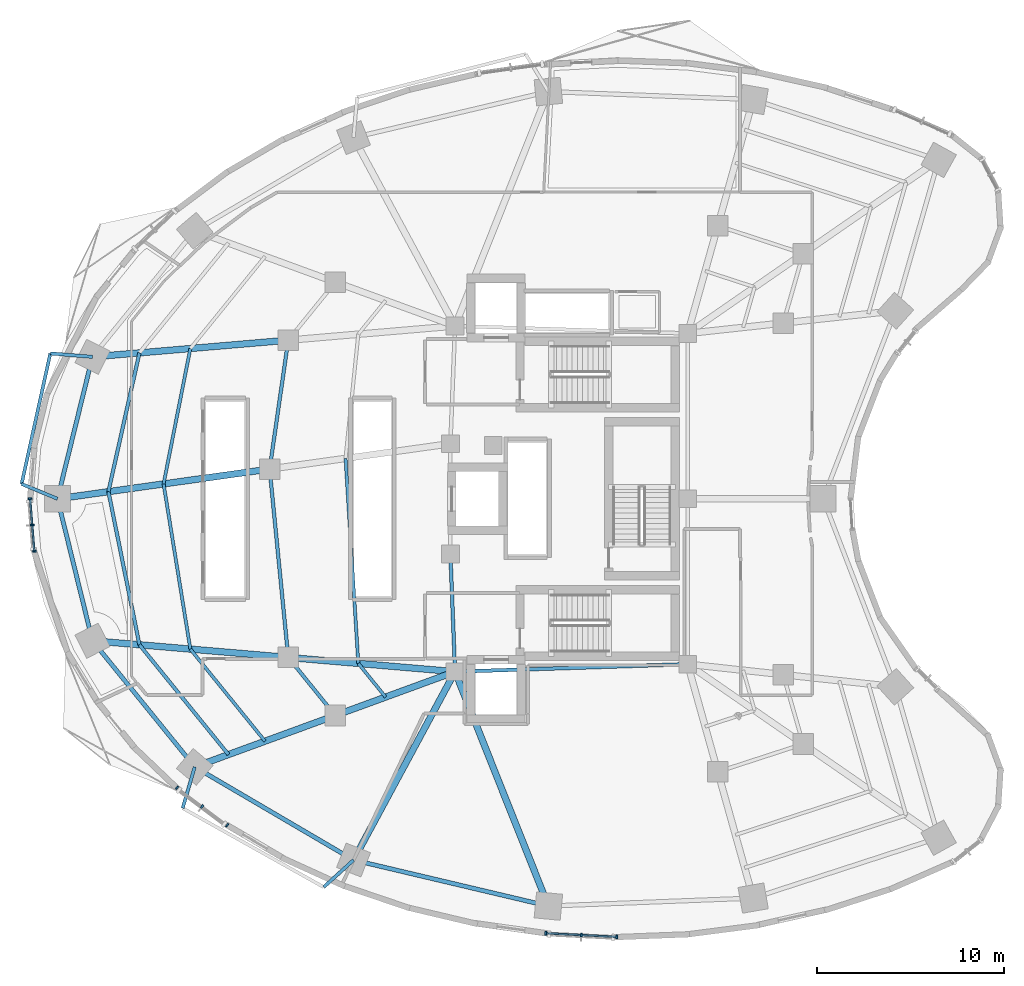
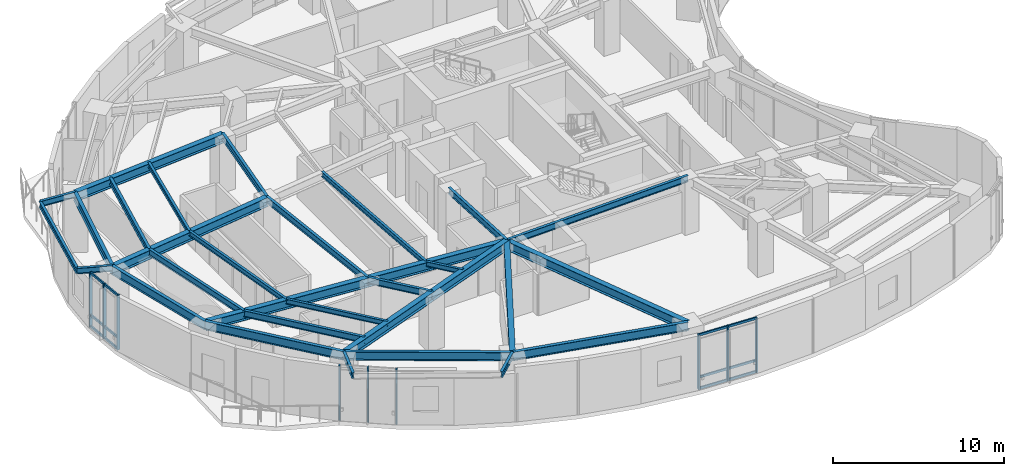
# One storey, part 2 of 14: 31 beams, 21 members, 3 elements without a shape of their own.
"""IFC4 building model written with IfcOpenShell, lengths in metres."""

import ifcopenshell
import ifcopenshell.guid

model = None  # the IFC model being written
_history = None  # IfcOwnerHistory: only IFC2X3 demands one
_inside = {}  # id of a spatial element -> (the spatial element, [elements in it])
_under = {}  # id of a project, library or spatial element -> (it, [spatial elements below it])
_declared = {}  # id of a project -> (the project, [libraries it declares])
_typed = {}  # id of a type object -> (the type object, [elements of that type])
_made_of = {}  # id of a material, layer set ... -> (it, [elements and type objects made of it])


def new_model(schema):
    """Start an empty IFC model of exactly this schema.

    Asked for "IFC4X3", IfcOpenShell would pick the latest addendum, in which some entities
    have other attributes; the version numbers below select the first issue.
    IFC2X3 requires an IfcOwnerHistory on every rooted entity: one is made here for all.
    """
    global model, _history
    if schema == "IFC4X3":
        model = ifcopenshell.file(schema_version=(4, 3, 0, 0))
    else:
        model = ifcopenshell.file(schema=schema)
    _inside.clear()
    _under.clear()
    _declared.clear()
    _typed.clear()
    _made_of.clear()
    _history = None
    if model.schema == "IFC2X3":
        org = make("IfcOrganization", Name="unknown")
        user = make(
            "IfcPersonAndOrganization",
            ThePerson=make("IfcPerson", FamilyName="unknown"),
            TheOrganization=org,
        )
        app = make(
            "IfcApplication",
            ApplicationDeveloper=org,
            Version="unknown",
            ApplicationFullName="unknown",
            ApplicationIdentifier="unknown",
        )
        _history = make(
            "IfcOwnerHistory",
            OwningUser=user,
            OwningApplication=app,
            ChangeAction="ADDED",
            CreationDate=0,
        )
    return model


def make(cls, **values):
    """One entity of the class cls with the attributes given. An attribute that is None is left unset."""
    return model.create_entity(
        cls, **{name: value for name, value in values.items() if value is not None}
    )


def rooted(cls, **values):
    """An entity with a GlobalId (a new one), such as an element, a storey or a relation."""
    return make(cls, GlobalId=ifcopenshell.guid.new(), OwnerHistory=_history, **values)


def si_unit(unit_type, name, prefix=None):
    """IfcSIUnit, for example si_unit("LENGTHUNIT", "METRE", prefix="MILLI")."""
    return make("IfcSIUnit", UnitType=unit_type, Prefix=prefix, Name=name)


def assignment(units):
    """IfcUnitAssignment: the units of a project."""
    return None if units is None else make("IfcUnitAssignment", Units=units)


def point(xyz):
    """IfcCartesianPoint."""
    return None if xyz is None else make("IfcCartesianPoint", Coordinates=xyz)


def direction(xyz):
    """IfcDirection."""
    return None if xyz is None else make("IfcDirection", DirectionRatios=xyz)


def frame(location, z_axis=None, x_axis=None):
    """IfcAxis2Placement3D, a coordinate frame: its origin and axes. An axis left out is left unset."""
    return make(
        "IfcAxis2Placement3D",
        Location=point(location),
        Axis=direction(z_axis),
        RefDirection=direction(x_axis),
    )


def frame_2d(location, x_axis=None):
    """IfcAxis2Placement2D, a coordinate frame in the plane: its origin and x axis."""
    return make(
        "IfcAxis2Placement2D", Location=point(location), RefDirection=direction(x_axis)
    )


def origin():
    """The frame at (0, 0, 0) with its axes left unset."""
    return frame((0.0, 0.0, 0.0))


def origin_2d():
    """The frame at (0, 0) in the plane with its x axis left unset."""
    return frame_2d((0.0, 0.0))


def place(relative_to, where):
    """IfcLocalPlacement: puts the frame where relative to a parent placement (None: the world)."""
    return make(
        "IfcLocalPlacement", PlacementRelTo=relative_to, RelativePlacement=where
    )


def context(
    kind, dimensions, precision=None, world=None, true_north=None, identifier=None
):
    """IfcGeometricRepresentationContext, for example the 3D "Model" context."""
    return make(
        "IfcGeometricRepresentationContext",
        ContextIdentifier=identifier,
        ContextType=kind,
        CoordinateSpaceDimension=dimensions,
        Precision=precision,
        WorldCoordinateSystem=world,
        TrueNorth=true_north,
    )


def subcontext(parent, identifier, kind, view, scale=None):
    """IfcGeometricRepresentationSubContext, for example "Body" below "Model"."""
    return make(
        "IfcGeometricRepresentationSubContext",
        ContextIdentifier=identifier,
        ContextType=kind,
        ParentContext=parent,
        TargetScale=scale,
        TargetView=view,
    )


def project(units=None, contexts=None):
    """IfcProject with its units and contexts."""
    return rooted(
        "IfcProject",
        Name="project",
        RepresentationContexts=contexts,
        UnitsInContext=assignment(units),
    )


def spatial(cls, under=None, at=None, **own):
    """A site, building, storey or space (cls), placed at a placement, below another one or the project."""
    s = rooted(cls, ObjectPlacement=at, **own)
    if under is not None:
        _under.setdefault(under.id(), (under, []))[1].append(s)
    return s


def profile(cls, at=None, kind="AREA", **sizes):
    """A parametric profile (cls). Its sizes go by their IFC names, for example OverallWidth=200.0."""
    return make(cls, ProfileType=kind, Position=at, **sizes)


def rectangle(**sizes):
    """IfcRectangleProfileDef."""
    return profile("IfcRectangleProfileDef", **sizes)


def i_section(**sizes):
    """IfcIShapeProfileDef."""
    return profile("IfcIShapeProfileDef", **sizes)


def extrude(swept, where, along, depth):
    """IfcExtrudedAreaSolid: the profile swept, set in the frame where, extruded along a direction by depth."""
    return make(
        "IfcExtrudedAreaSolid",
        SweptArea=swept,
        Position=where,
        ExtrudedDirection=direction(along),
        Depth=depth,
    )


def shape(context_of_items, identifier, shape_type, items):
    """IfcShapeRepresentation: the items that make up one representation, for example the "Body"."""
    return make(
        "IfcShapeRepresentation",
        ContextOfItems=context_of_items,
        RepresentationIdentifier=identifier,
        RepresentationType=shape_type,
        Items=items,
    )


def material(Name=None, Category=None):
    """IfcMaterial."""
    return make("IfcMaterial", Name=Name, Category=Category)


def layer(
    of_material, thickness, ventilated=None, Name=None, Category=None, Priority=None
):
    """IfcMaterialLayer: one layer of a wall or slab, of a material (None: an air gap)."""
    return make(
        "IfcMaterialLayer",
        Material=of_material,
        LayerThickness=thickness,
        IsVentilated=ventilated,
        Name=Name,
        Category=Category,
        Priority=Priority,
    )


def layer_set(layers, Name=None):
    """IfcMaterialLayerSet."""
    return make("IfcMaterialLayerSet", MaterialLayers=layers, LayerSetName=Name)


def material_profile(
    of_material, cross_section, Name=None, Category=None, Priority=None
):
    """IfcMaterialProfile: a cross section and its material."""
    return make(
        "IfcMaterialProfile",
        Name=Name,
        Material=of_material,
        Profile=cross_section,
        Priority=Priority,
        Category=Category,
    )


def profile_set(profiles, Name=None, composite=None):
    """IfcMaterialProfileSet."""
    return make(
        "IfcMaterialProfileSet",
        Name=Name,
        MaterialProfiles=profiles,
        CompositeProfile=composite,
    )


def made_of(thing, what):
    """Note that an element or type object is made of a material, layer set ...; save() writes the relation."""
    if what is not None:
        _made_of.setdefault(what.id(), (what, []))[1].append(thing)
    return thing


def type_object(cls, material=None, **own):
    """A type object (cls), such as IfcWallType, which elements share."""
    return made_of(rooted(cls, **own), material)


def element(
    cls,
    number,
    at=None,
    inside=None,
    cuts=None,
    type_object=None,
    material=None,
    context=None,
    identifier="Body",
    shape_type=None,
    held_by="IfcProductDefinitionShape",
    body=None,
    shapes=None,
    **own,
):
    """One element of the class cls, such as IfcWall. Its Tag is "e" and its number.

    at: its placement. inside: the storey or other place that contains it. cuts: it is an
    opening in that element (IfcRelVoidsElement). A single representation is given by context,
    identifier, shape_type and body (its items); several are given by shapes. held_by: the class
    of the entity that holds the representations. save() writes the other relations.
    """
    e = rooted(cls, Tag="e%d" % number, ObjectPlacement=at, **own)
    if body is not None:
        shapes = [shape(context, identifier, shape_type, body)]
    if shapes is not None:
        e.Representation = make(held_by, Representations=shapes)
    if inside is not None:
        _inside.setdefault(inside.id(), (inside, []))[1].append(e)
    if cuts is not None:
        rooted(
            "IfcRelVoidsElement", RelatingBuildingElement=cuts, RelatedOpeningElement=e
        )
    if type_object is not None:
        _typed.setdefault(type_object.id(), (type_object, []))[1].append(e)
    return made_of(e, material)


def aggregate(whole, parts):
    """IfcRelAggregates: a whole, such as a stair, and the parts it consists of."""
    return rooted("IfcRelAggregates", RelatingObject=whole, RelatedObjects=parts)


def save(model, path):
    """Write the relations noted so far, then the file.

    IfcRelAggregates (storeys below a building ...), IfcRelContainedInSpatialStructure (elements
    in a storey), IfcRelDefinesByType, IfcRelAssociatesMaterial and IfcRelDeclares: one each for
    every whole, place, type object, material and project.
    """
    for whole, parts in _under.values():
        aggregate(whole, parts)
    for where, things in _inside.values():
        rooted(
            "IfcRelContainedInSpatialStructure",
            RelatedElements=things,
            RelatingStructure=where,
        )
    for kind, things in _typed.values():
        rooted("IfcRelDefinesByType", RelatedObjects=things, RelatingType=kind)
    for what, things in _made_of.values():
        rooted("IfcRelAssociatesMaterial", RelatedObjects=things, RelatingMaterial=what)
    for by, libraries in _declared.values():
        rooted("IfcRelDeclares", RelatingContext=by, RelatedDefinitions=libraries)
    model.write(path)


model = new_model("IFC4")

# Units and contexts
model_context = context("Model", 3, precision=1e-05, world=origin(), true_north=direction((0.0, 1.0)))
body_context = subcontext(model_context, "Body", "Model", "MODEL_VIEW")
ifc_project = project(units=[si_unit("LENGTHUNIT", "METRE"), si_unit("AREAUNIT", "SQUARE_METRE"), si_unit("VOLUMEUNIT", "CUBIC_METRE"), si_unit("PLANEANGLEUNIT", "RADIAN"), si_unit("MASSUNIT", "GRAM", prefix="KILO")], contexts=[model_context])

# Site, building, storey
site_placement = place(None, origin())
site = spatial("IfcSite", under=ifc_project, at=site_placement, CompositionType="ELEMENT")
building_placement = place(site_placement, origin())
building = spatial("IfcBuilding", under=site, at=building_placement, Name="Korentha Bioscience Tower", CompositionType="ELEMENT")
storey_placement = place(building_placement, frame((0.0, 0.0, 63.60009765625)))
storey = spatial("IfcBuildingStorey", under=building, at=storey_placement, Name="L14", CompositionType="ELEMENT", Elevation=63.60009765625)

# Beams
ifc_material_1 = material(Name="Steel S355", Category="steel")
ifc_material_profile_1 = material_profile(ifc_material_1, i_section(OverallWidth=0.18994140625, OverallDepth=0.45703125, WebThickness=0.009033203125, FlangeThickness=0.014404296875, at=origin_2d()), Name="Steel S355")
ifc_profile_set_1 = profile_set([ifc_material_profile_1], Name="Steel S355 (MB-460)")
beam_type_1 = type_object("IfcBeamType", Name="Mid-Ring Tie Girder W460x74", PredefinedType="BEAM", material=ifc_profile_set_1)
beam_1_placement = place(storey_placement, frame((16.174072265625, 35.489013671875, 3.67138671875), z_axis=(-0.14286846228, -0.989741684727, 0.0), x_axis=(0.989741684727, -0.14286846228, 0.0)))
element("IfcBeam", 1, at=beam_1_placement, inside=storey, type_object=beam_type_1, Name="L14 Mid-Ring Tie Girder 06", PredefinedType="BEAM", context=body_context, shape_type="SweptSolid", body=[
    extrude(i_section(OverallWidth=0.18994140625, OverallDepth=0.45703125, WebThickness=0.009033203125, FlangeThickness=0.014404296875, at=origin_2d()), origin(), (0.0, 0.0, 1.0), 6.967041015625),
])
beam_2_placement = place(storey_placement, frame((15.1787109375, 28.593505859375, 3.67138671875), z_axis=(0.098243909277, -0.995162365793, 0.0), x_axis=(0.995162365793, 0.098243909277, 0.0)))
element("IfcBeam", 2, at=beam_2_placement, inside=storey, type_object=beam_type_1, Name="L14 Mid-Ring Tie Girder 07", PredefinedType="BEAM", context=body_context, shape_type="SweptSolid", body=[
    extrude(i_section(OverallWidth=0.18994140625, OverallDepth=0.45703125, WebThickness=0.009033203125, FlangeThickness=0.014404296875, at=origin_2d()), origin(), (0.0, 0.0, 1.0), 10.131591796875),
])
beam_3_placement = place(storey_placement, frame((16.174072265625, 18.510986328125, 3.67138671875), z_axis=(0.629790009744, -0.776765436684, 0.0), x_axis=(0.776765436684, 0.629790009744, 0.0)))
element("IfcBeam", 3, at=beam_3_placement, inside=storey, type_object=beam_type_1, Name="L14 Mid-Ring Tie Girder 08", PredefinedType="BEAM", context=body_context, shape_type="SweptSolid", body=[
    extrude(i_section(OverallWidth=0.18994140625, OverallDepth=0.45703125, WebThickness=0.009033203125, FlangeThickness=0.014404296875, at=origin_2d()), origin(), (0.0, 0.0, 1.0), 3.998291015625),
])
beam_4_placement = place(storey_placement, frame((24.85009765625, 24.050048828125, 3.67138671875), z_axis=(0.039651025576, -0.999213588864, 0.0), x_axis=(0.999213588864, 0.039651025576, 0.0)))
element("IfcBeam", 4, at=beam_4_placement, inside=storey, type_object=beam_type_1, Name="L14 Core Ring Tie Girder 04", PredefinedType="BEAM", context=body_context, shape_type="SweptSolid", body=[
    extrude(i_section(OverallWidth=0.18994140625, OverallDepth=0.45703125, WebThickness=0.009033203125, FlangeThickness=0.014404296875, at=origin_2d()), origin(), (0.0, 0.0, 1.0), 6.304931640625),
])
beam_5_placement = place(storey_placement, frame((25.10009765625, 17.75, 3.67138671875), z_axis=(0.999484526071, 0.032104238723, 0.0), x_axis=(-0.032104238723, 0.999484526071, 0.0)))
element("IfcBeam", 5, at=beam_5_placement, inside=storey, type_object=beam_type_1, Name="L14 Core Ring Tie Girder 05", PredefinedType="BEAM", context=body_context, shape_type="SweptSolid", body=[
    extrude(i_section(OverallWidth=0.18994140625, OverallDepth=0.45703125, WebThickness=0.009033203125, FlangeThickness=0.014404296875, at=origin_2d()), origin(), (0.0, 0.0, 1.0), 12.456298828125),
])

# Curtain wall, members
ifc_material_2 = material(Name="Thermally Broken Aluminium Frame", Category="aluminium")
ifc_layer = layer(ifc_material_2, 0.219970703125, Name="Thermally Broken Aluminium Frame")
ifc_layer_set = layer_set([ifc_layer], Name="Thermally Broken Aluminium Frame (CW-T2)")
curtain_wall_type = type_object("IfcCurtainWallType", Name="Solar-Screened Lab Unitised Curtain Wall CW-T2", PredefinedType="USERDEFINED", material=ifc_layer_set)
curtain_wall_1_placement = place(storey_placement, origin())
curtain_wall_1 = element("IfcCurtainWall", 6, at=curtain_wall_1_placement, inside=storey, type_object=curtain_wall_type, Name="L14 Curtain Wall 19", ObjectType="UNITISED", PredefinedType="USERDEFINED")
ifc_material_3 = material(Name="Anodised Aluminium 6063-T6", Category="aluminium")
ifc_material_profile_2 = material_profile(ifc_material_3, rectangle(XDim=0.090087890625, YDim=0.199951171875, at=origin_2d()), Name="Anodised Aluminium 6063-T6")
ifc_profile_set_2 = profile_set([ifc_material_profile_2], Name="Anodised Aluminium 6063-T6 (CW-MUL)")
member_type_1 = type_object("IfcMemberType", Name="Mullion RECT 90x200", PredefinedType="MULLION", material=ifc_profile_set_2)
member_1_placement = place(storey_placement, frame((2.35986328125, 27.0078125, 0.0), z_axis=(0.0, 0.0, 1.0), x_axis=(0.080820466375, -0.996728675325, 0.0)))
member_1 = element("IfcMember", 7, at=member_1_placement, type_object=member_type_1, Name="CW-L14-19 Mullion 1", PredefinedType="MULLION", context=body_context, shape_type="SweptSolid", body=[
    extrude(rectangle(XDim=0.090087890625, YDim=0.199951171875, at=origin_2d()), origin(), (0.0, 0.0, 1.0), 3.89990234375),
])
member_2_placement = place(storey_placement, frame((2.474365234375, 25.597412109375, 0.0), z_axis=(0.0, 0.0, 1.0), x_axis=(0.080820466375, -0.996728675325, 0.0)))
member_2 = element("IfcMember", 8, at=member_2_placement, type_object=member_type_1, Name="CW-L14-19 Mullion 2", PredefinedType="MULLION", context=body_context, shape_type="SweptSolid", body=[
    extrude(rectangle(XDim=0.090087890625, YDim=0.199951171875, at=origin_2d()), origin(), (0.0, 0.0, 1.0), 3.89990234375),
])
member_3_placement = place(storey_placement, frame((2.588623046875, 24.187255859375, 0.0), z_axis=(0.0, 0.0, 1.0), x_axis=(0.080820466375, -0.996728675325, 0.0)))
member_3 = element("IfcMember", 9, at=member_3_placement, type_object=member_type_1, Name="CW-L14-19 Mullion 3", PredefinedType="MULLION", context=body_context, shape_type="SweptSolid", body=[
    extrude(rectangle(XDim=0.090087890625, YDim=0.199951171875, at=origin_2d()), origin(), (0.0, 0.0, 1.0), 3.89990234375),
])

curtain_wall_2_placement = place(storey_placement, origin())
curtain_wall_2 = element("IfcCurtainWall", 10, at=curtain_wall_2_placement, inside=storey, type_object=curtain_wall_type, Name="L14 Curtain Wall 25", ObjectType="UNITISED", PredefinedType="USERDEFINED")
member_4_placement = place(storey_placement, frame((10.2216796875, 11.538818359375, 0.0), z_axis=(0.0, 0.0, 1.0), x_axis=(0.800797909614, -0.598934644145, 0.0)))
member_4 = element("IfcMember", 11, at=member_4_placement, type_object=member_type_1, Name="CW-L14-25 Mullion 1", PredefinedType="MULLION", context=body_context, shape_type="SweptSolid", body=[
    extrude(rectangle(XDim=0.090087890625, YDim=0.199951171875, at=origin_2d()), origin(), (0.0, 0.0, 1.0), 3.89990234375),
])
member_5_placement = place(storey_placement, frame((11.5634765625, 10.53515625, 0.0), z_axis=(0.0, 0.0, 1.0), x_axis=(0.800797909614, -0.598934644145, 0.0)))
member_5 = element("IfcMember", 12, at=member_5_placement, type_object=member_type_1, Name="CW-L14-25 Mullion 2", PredefinedType="MULLION", context=body_context, shape_type="SweptSolid", body=[
    extrude(rectangle(XDim=0.090087890625, YDim=0.199951171875, at=origin_2d()), origin(), (0.0, 0.0, 1.0), 3.89990234375),
])
member_6_placement = place(storey_placement, frame((12.9052734375, 9.53173828125, 0.0), z_axis=(0.0, 0.0, 1.0), x_axis=(0.800797909614, -0.598934644145, 0.0)))
member_6 = element("IfcMember", 13, at=member_6_placement, type_object=member_type_1, Name="CW-L14-25 Mullion 3", PredefinedType="MULLION", context=body_context, shape_type="SweptSolid", body=[
    extrude(rectangle(XDim=0.090087890625, YDim=0.199951171875, at=origin_2d()), origin(), (0.0, 0.0, 1.0), 3.89990234375),
])
aggregate(curtain_wall_2, [member_4, member_5, member_6])

curtain_wall_3_placement = place(storey_placement, origin())
curtain_wall_3 = element("IfcCurtainWall", 14, at=curtain_wall_3_placement, inside=storey, type_object=curtain_wall_type, Name="L14 Curtain Wall 31", ObjectType="UNITISED", PredefinedType="USERDEFINED")
member_7_placement = place(storey_placement, frame((29.9541015625, 3.75244140625, 0.0), z_axis=(0.0, 0.0, 1.0), x_axis=(0.998730551641, -0.050371472279, 0.0)))
member_7 = element("IfcMember", 15, at=member_7_placement, type_object=member_type_1, Name="CW-L14-31 Mullion 1", PredefinedType="MULLION", context=body_context, shape_type="SweptSolid", body=[
    extrude(rectangle(XDim=0.090087890625, YDim=0.199951171875, at=origin_2d()), origin(), (0.0, 0.0, 1.0), 3.89990234375),
])
member_8_placement = place(storey_placement, frame((31.855224609375, 3.656494140625, 0.0), z_axis=(0.0, 0.0, 1.0), x_axis=(0.998730551641, -0.050371472279, 0.0)))
member_8 = element("IfcMember", 16, at=member_8_placement, type_object=member_type_1, Name="CW-L14-31 Mullion 2", PredefinedType="MULLION", context=body_context, shape_type="SweptSolid", body=[
    extrude(rectangle(XDim=0.090087890625, YDim=0.199951171875, at=origin_2d()), origin(), (0.0, 0.0, 1.0), 3.89990234375),
])
member_9_placement = place(storey_placement, frame((33.75634765625, 3.560791015625, 0.0), z_axis=(0.0, 0.0, 1.0), x_axis=(0.998730551641, -0.050371472279, 0.0)))
member_9 = element("IfcMember", 17, at=member_9_placement, type_object=member_type_1, Name="CW-L14-31 Mullion 3", PredefinedType="MULLION", context=body_context, shape_type="SweptSolid", body=[
    extrude(rectangle(XDim=0.090087890625, YDim=0.199951171875, at=origin_2d()), origin(), (0.0, 0.0, 1.0), 3.89990234375),
])

# Beams
ifc_material_profile_3 = material_profile(ifc_material_1, i_section(OverallWidth=0.22802734375, OverallDepth=0.60791015625, WebThickness=0.01123046875, FlangeThickness=0.017333984375, at=origin_2d()), Name="Steel S355")
ifc_profile_set_3 = profile_set([ifc_material_profile_3], Name="Steel S355 (SB-610)")
beam_type_2 = type_object("IfcBeamType", Name="Perimeter Ring Spandrel Girder W610x113", PredefinedType="SPANDREL", material=ifc_profile_set_3)
beam_6_placement = place(storey_placement, frame((5.69580078125, 34.595703125, 3.595947265625), z_axis=(-0.239119105624, -0.970990243682, 0.0), x_axis=(0.970990243682, -0.239119105624, 0.0)))
element("IfcBeam", 18, at=beam_6_placement, inside=storey, type_object=beam_type_2, Name="L14 Perimeter Spandrel Girder 06", PredefinedType="SPANDREL", context=body_context, shape_type="SweptSolid", body=[
    extrude(i_section(OverallWidth=0.22802734375, OverallDepth=0.60791015625, WebThickness=0.01123046875, FlangeThickness=0.017333984375, at=origin_2d()), origin(), (0.0, 0.0, 1.0), 7.82177734375),
])
beam_7_placement = place(storey_placement, frame((3.825439453125, 27.000732421875, 3.595947265625), z_axis=(0.23907563132, -0.971000948768, 0.0), x_axis=(0.971000948768, 0.23907563132, 0.0)))
element("IfcBeam", 19, at=beam_7_placement, inside=storey, type_object=beam_type_2, Name="L14 Perimeter Spandrel Girder 07", PredefinedType="SPANDREL", context=body_context, shape_type="SweptSolid", body=[
    extrude(i_section(OverallWidth=0.22802734375, OverallDepth=0.60791015625, WebThickness=0.01123046875, FlangeThickness=0.017333984375, at=origin_2d()), origin(), (0.0, 0.0, 1.0), 7.8232421875),
])
beam_8_placement = place(storey_placement, frame((5.69580078125, 19.404296875, 3.595947265625), z_axis=(0.629799210231, -0.776757976974, 0.0), x_axis=(0.776757976974, 0.629799210231, 0.0)))
element("IfcBeam", 20, at=beam_8_placement, inside=storey, type_object=beam_type_2, Name="L14 Perimeter Spandrel Girder 08", PredefinedType="SPANDREL", context=body_context, shape_type="SweptSolid", body=[
    extrude(i_section(OverallWidth=0.22802734375, OverallDepth=0.60791015625, WebThickness=0.01123046875, FlangeThickness=0.017333984375, at=origin_2d()), origin(), (0.0, 0.0, 1.0), 8.69189453125),
])
beam_9_placement = place(storey_placement, frame((11.169921875, 12.65283203125, 3.595947265625), z_axis=(0.862656574181, -0.505790109653, 0.0), x_axis=(0.505790109653, 0.862656574181, 0.0)))
element("IfcBeam", 21, at=beam_9_placement, inside=storey, type_object=beam_type_2, Name="L14 Perimeter Spandrel Girder 09", PredefinedType="SPANDREL", context=body_context, shape_type="SweptSolid", body=[
    extrude(i_section(OverallWidth=0.22802734375, OverallDepth=0.60791015625, WebThickness=0.01123046875, FlangeThickness=0.017333984375, at=origin_2d()), origin(), (0.0, 0.0, 1.0), 9.849365234375),
])
beam_10_placement = place(storey_placement, frame((19.66650390625, 7.671142578125, 3.595947265625), z_axis=(0.973207885376, -0.229926970672, 0.0), x_axis=(0.229926970672, 0.973207885376, 0.0)))
element("IfcBeam", 22, at=beam_10_placement, inside=storey, type_object=beam_type_2, Name="L14 Perimeter Spandrel Girder 10", PredefinedType="SPANDREL", context=body_context, shape_type="SweptSolid", body=[
    extrude(i_section(OverallWidth=0.22802734375, OverallDepth=0.60791015625, WebThickness=0.01123046875, FlangeThickness=0.017333984375, at=origin_2d()), origin(), (0.0, 0.0, 1.0), 10.71484375),
])
ifc_material_profile_4 = material_profile(ifc_material_1, i_section(OverallWidth=0.18994140625, OverallDepth=0.45703125, WebThickness=0.009033203125, FlangeThickness=0.014404296875, at=origin_2d()), Name="Steel S355")
ifc_profile_set_4 = profile_set([ifc_material_profile_4], Name="Steel S355 (RB-460)")
beam_type_3 = type_object("IfcBeamType", Name="Radial Laboratory Beam W460x74", PredefinedType="BEAM", material=ifc_profile_set_4)
beam_11_placement = place(storey_placement, frame((8.21044921875, 34.81005859375, 3.67138671875), z_axis=(-0.218146323162, -0.975916073077, 0.0), x_axis=(0.975916073077, -0.218146323162, 0.0)))
element("IfcBeam", 23, at=beam_11_placement, inside=storey, type_object=beam_type_3, Name="L14 Secondary Floor Beam JSTO-06", PredefinedType="BEAM", context=body_context, shape_type="SweptSolid", body=[
    extrude(i_section(OverallWidth=0.18994140625, OverallDepth=0.45703125, WebThickness=0.009033203125, FlangeThickness=0.014404296875, at=origin_2d()), origin(), (0.0, 0.0, 1.0), 7.6103515625),
])
beam_12_placement = place(storey_placement, frame((6.55029296875, 27.383056640625, 3.67138671875), z_axis=(0.198592296955, -0.980082190222, 0.0), x_axis=(0.980082190222, 0.198592296955, 0.0)))
element("IfcBeam", 24, at=beam_12_placement, inside=storey, type_object=beam_type_3, Name="L14 Secondary Floor Beam JSTO-07", PredefinedType="BEAM", context=body_context, shape_type="SweptSolid", body=[
    extrude(i_section(OverallWidth=0.18994140625, OverallDepth=0.45703125, WebThickness=0.009033203125, FlangeThickness=0.014404296875, at=origin_2d()), origin(), (0.0, 0.0, 1.0), 8.359619140625),
])
beam_13_placement = place(storey_placement, frame((8.21044921875, 19.18994140625, 3.67138671875), z_axis=(0.629797748553, -0.776759162107, 0.0), x_axis=(0.776759162107, 0.629797748553, 0.0)))
element("IfcBeam", 25, at=beam_13_placement, inside=storey, type_object=beam_type_3, Name="L14 Secondary Floor Beam JSTO-08", PredefinedType="BEAM", context=body_context, shape_type="SweptSolid", body=[
    extrude(i_section(OverallWidth=0.18994140625, OverallDepth=0.45703125, WebThickness=0.009033203125, FlangeThickness=0.014404296875, at=origin_2d()), origin(), (0.0, 0.0, 1.0), 7.5654296875),
])
ifc_material_profile_5 = material_profile(ifc_material_1, i_section(OverallWidth=0.35009765625, OverallDepth=0.64990234375, WebThickness=0.01611328125, FlangeThickness=0.02490234375, at=origin_2d()), Name="Steel S355")
ifc_profile_set_5 = profile_set([ifc_material_profile_5], Name="Steel S355 (RB-650)")
beam_type_4 = type_object("IfcBeamType", Name="Radial Laboratory Girder CVS 650x208", PredefinedType="BEAM", material=ifc_profile_set_5)
beam_14_placement = place(storey_placement, frame((16.174072265625, 35.489013671875, 3.574951171875), z_axis=(-0.996385601055, -0.084945476695, 0.0), x_axis=(0.084945476695, -0.996385601055, 0.0)))
element("IfcBeam", 26, at=beam_14_placement, inside=storey, type_object=beam_type_4, Name="L14 Outer Radial Girder 06", PredefinedType="BEAM", context=body_context, shape_type="SweptSolid", body=[
    extrude(i_section(OverallWidth=0.35009765625, OverallDepth=0.64990234375, WebThickness=0.01611328125, FlangeThickness=0.02490234375, at=origin_2d()), origin(), (0.0, 0.0, 1.0), 10.516357421875),
])
beam_15_placement = place(storey_placement, frame((15.1787109375, 28.593505859375, 3.574951171875), z_axis=(-0.99030199745, -0.138931471762, 0.0), x_axis=(0.138931471762, -0.99030199745, 0.0)))
element("IfcBeam", 27, at=beam_15_placement, inside=storey, type_object=beam_type_4, Name="L14 Outer Radial Girder 07", PredefinedType="BEAM", context=body_context, shape_type="SweptSolid", body=[
    extrude(i_section(OverallWidth=0.35009765625, OverallDepth=0.64990234375, WebThickness=0.01611328125, FlangeThickness=0.02490234375, at=origin_2d()), origin(), (0.0, 0.0, 1.0), 11.46435546875),
])
beam_16_placement = place(storey_placement, frame((25.10009765625, 17.75, 3.574951171875), z_axis=(-0.996385503026, 0.08494662654, 0.0), x_axis=(-0.08494662654, -0.996385503026, 0.0)))
element("IfcBeam", 28, at=beam_16_placement, inside=storey, type_object=beam_type_4, Name="L14 Inner Radial Girder 08", PredefinedType="BEAM", context=body_context, shape_type="SweptSolid", body=[
    extrude(i_section(OverallWidth=0.35009765625, OverallDepth=0.64990234375, WebThickness=0.01611328125, FlangeThickness=0.02490234375, at=origin_2d()), origin(), (0.0, 0.0, 1.0), 8.95849609375),
])
beam_17_placement = place(storey_placement, frame((16.174072265625, 18.510986328125, 3.574951171875), z_axis=(-0.996385601055, 0.084945476695, 0.0), x_axis=(-0.084945476695, -0.996385601055, 0.0)))
element("IfcBeam", 29, at=beam_17_placement, inside=storey, type_object=beam_type_4, Name="L14 Outer Radial Girder 08", PredefinedType="BEAM", context=body_context, shape_type="SweptSolid", body=[
    extrude(i_section(OverallWidth=0.35009765625, OverallDepth=0.64990234375, WebThickness=0.01611328125, FlangeThickness=0.02490234375, at=origin_2d()), origin(), (0.0, 0.0, 1.0), 10.516357421875),
])
beam_18_placement = place(storey_placement, frame((25.10009765625, 17.75, 3.574951171875), z_axis=(-0.939106237741, -0.343626940498, 0.0), x_axis=(0.343626940498, -0.939106237741, 0.0)))
element("IfcBeam", 30, at=beam_18_placement, inside=storey, type_object=beam_type_4, Name="L14 Inner Radial Girder 09", PredefinedType="BEAM", context=body_context, shape_type="SweptSolid", body=[
    extrude(i_section(OverallWidth=0.35009765625, OverallDepth=0.64990234375, WebThickness=0.01611328125, FlangeThickness=0.02490234375, at=origin_2d()), origin(), (0.0, 0.0, 1.0), 6.823486328125),
])
beam_19_placement = place(storey_placement, frame((18.692138671875, 15.4052734375, 3.574951171875), z_axis=(-0.939106299948, -0.343626770491, 0.0), x_axis=(0.343626770491, -0.939106299948, 0.0)))
element("IfcBeam", 31, at=beam_19_placement, inside=storey, type_object=beam_type_4, Name="L14 Outer Radial Girder 09", PredefinedType="BEAM", context=body_context, shape_type="SweptSolid", body=[
    extrude(i_section(OverallWidth=0.35009765625, OverallDepth=0.64990234375, WebThickness=0.01611328125, FlangeThickness=0.02490234375, at=origin_2d()), origin(), (0.0, 0.0, 1.0), 8.010009765625),
])
beam_20_placement = place(storey_placement, frame((25.10009765625, 17.75, 3.574951171875), z_axis=(-0.47454097106, -0.880233416081, 0.0), x_axis=(0.880233416081, -0.47454097106, 0.0)))
element("IfcBeam", 32, at=beam_20_placement, inside=storey, type_object=beam_type_4, Name="L14 Radial Girder 10", PredefinedType="BEAM", context=body_context, shape_type="SweptSolid", body=[
    extrude(i_section(OverallWidth=0.35009765625, OverallDepth=0.64990234375, WebThickness=0.01611328125, FlangeThickness=0.02490234375, at=origin_2d()), origin(), (0.0, 0.0, 1.0), 11.4501953125),
])
beam_21_placement = place(storey_placement, frame((25.10009765625, 17.75, 3.574951171875), z_axis=(0.369931007413, -0.929059228335, 0.0), x_axis=(0.929059228335, 0.369931007413, 0.0)))
element("IfcBeam", 33, at=beam_21_placement, inside=storey, type_object=beam_type_4, Name="L14 Radial Girder 11", PredefinedType="BEAM", context=body_context, shape_type="SweptSolid", body=[
    extrude(i_section(OverallWidth=0.35009765625, OverallDepth=0.64990234375, WebThickness=0.01611328125, FlangeThickness=0.02490234375, at=origin_2d()), origin(), (0.0, 0.0, 1.0), 13.500244140625),
])
ifc_material_profile_6 = material_profile(ifc_material_1, i_section(OverallWidth=0.1708984375, OverallDepth=0.35498046875, WebThickness=0.007080078125, FlangeThickness=0.01171875, at=origin_2d()), Name="Steel S355")
ifc_profile_set_6 = profile_set([ifc_material_profile_6], Name="Steel S355 (JB-360)")
beam_type_5 = type_object("IfcBeamType", Name="Secondary Laboratory Joist W360x51", PredefinedType="JOIST", material=ifc_profile_set_6)
beam_22_placement = place(storey_placement, frame((10.934814453125, 35.042236328125, 3.722412109375), z_axis=(-0.193979665978, -0.981005550029, 0.0), x_axis=(0.981005550029, -0.193979665978, 0.0)))
element("IfcBeam", 34, at=beam_22_placement, inside=storey, type_object=beam_type_5, Name="L14 Secondary Floor Beam JST-06", PredefinedType="JOIST", context=body_context, shape_type="SweptSolid", body=[
    extrude(i_section(OverallWidth=0.1708984375, OverallDepth=0.35498046875, WebThickness=0.007080078125, FlangeThickness=0.01171875, at=origin_2d()), origin(), (0.0, 0.0, 1.0), 7.385498046875),
])
beam_23_placement = place(storey_placement, frame((9.502197265625, 27.797119140625, 3.722412109375), z_axis=(0.159984999905, -0.987119445561, 0.0), x_axis=(0.987119445561, 0.159984999905, 0.0)))
element("IfcBeam", 35, at=beam_23_placement, inside=storey, type_object=beam_type_5, Name="L14 Secondary Floor Beam JST-07", PredefinedType="JOIST", context=body_context, shape_type="SweptSolid", body=[
    extrude(i_section(OverallWidth=0.1708984375, OverallDepth=0.35498046875, WebThickness=0.007080078125, FlangeThickness=0.01171875, at=origin_2d()), origin(), (0.0, 0.0, 1.0), 8.95458984375),
])
beam_24_placement = place(storey_placement, frame((19.240478515625, 29.1630859375, 3.722412109375), z_axis=(0.062074098012, -0.998071543706, 0.0), x_axis=(0.998071543706, 0.062074098012, 0.0)))
element("IfcBeam", 36, at=beam_24_placement, inside=storey, type_object=beam_type_5, Name="L14 Inner Bay Joist 07", PredefinedType="JOIST", context=body_context, shape_type="SweptSolid", body=[
    extrude(i_section(OverallWidth=0.1708984375, OverallDepth=0.35498046875, WebThickness=0.007080078125, FlangeThickness=0.01171875, at=origin_2d()), origin(), (0.0, 0.0, 1.0), 10.992919921875),
])
beam_25_placement = place(storey_placement, frame((10.934814453125, 18.957763671875, 3.722412109375), z_axis=(0.629786899984, -0.776767958021, 0.0), x_axis=(0.776767958021, 0.629786899984, 0.0)))
element("IfcBeam", 37, at=beam_25_placement, inside=storey, type_object=beam_type_5, Name="L14 Secondary Floor Beam JST-08", PredefinedType="JOIST", context=body_context, shape_type="SweptSolid", body=[
    extrude(i_section(OverallWidth=0.1708984375, OverallDepth=0.35498046875, WebThickness=0.007080078125, FlangeThickness=0.01171875, at=origin_2d()), origin(), (0.0, 0.0, 1.0), 6.34521484375),
])
beam_26_placement = place(storey_placement, frame((19.9228515625, 18.19140625, 3.722412109375), z_axis=(0.629791657613, -0.776764100613, 0.0), x_axis=(0.776764100613, 0.629791657613, 0.0)))
element("IfcBeam", 38, at=beam_26_placement, inside=storey, type_object=beam_type_5, Name="L14 Inner Bay Joist 08", PredefinedType="JOIST", context=body_context, shape_type="SweptSolid", body=[
    extrude(i_section(OverallWidth=0.1708984375, OverallDepth=0.35498046875, WebThickness=0.007080078125, FlangeThickness=0.01171875, at=origin_2d()), origin(), (0.0, 0.0, 1.0), 2.31884765625),
])
ifc_material_profile_7 = material_profile(ifc_material_1, i_section(OverallWidth=0.177978515625, OverallDepth=0.406982421875, WebThickness=0.0078125, FlangeThickness=0.0126953125, at=origin_2d()), Name="Steel S355")
ifc_profile_set_7 = profile_set([ifc_material_profile_7], Name="Steel S355 (CB-410)")
beam_type_6 = type_object("IfcBeamType", Name="Sun-Ledge Cantilever Beam W410x60", PredefinedType="BEAM", material=ifc_profile_set_7)
beam_27_placement = place(storey_placement, frame((5.69580078125, 34.595703125, 3.698486328125), z_axis=(-0.996665296281, 0.08159832835, 0.0), x_axis=(-0.08159832835, -0.996665296281, 0.0)))
element("IfcBeam", 39, at=beam_27_placement, inside=storey, type_object=beam_type_6, Name="L14 Balcony Cantilever Bracket A-L15-02", PredefinedType="BEAM", context=body_context, shape_type="SweptSolid", body=[
    extrude(i_section(OverallWidth=0.177978515625, OverallDepth=0.406982421875, WebThickness=0.0078125, FlangeThickness=0.0126953125, at=origin_2d()), origin(), (0.0, 0.0, 1.0), 2.261962890625),
])
beam_28_placement = place(storey_placement, frame((3.825439453125, 27.000732421875, 3.698486328125), z_axis=(-0.924185686215, 0.381943474084, 0.0), x_axis=(-0.381943474084, -0.924185686215, 0.0)))
element("IfcBeam", 40, at=beam_28_placement, inside=storey, type_object=beam_type_6, Name="L14 Balcony Cantilever Bracket B-L15-02", PredefinedType="BEAM", context=body_context, shape_type="SweptSolid", body=[
    extrude(i_section(OverallWidth=0.177978515625, OverallDepth=0.406982421875, WebThickness=0.0078125, FlangeThickness=0.0126953125, at=origin_2d()), origin(), (0.0, 0.0, 1.0), 2.077392578125),
])
beam_29_placement = place(storey_placement, frame((3.44140625, 34.7802734375, 3.698486328125), z_axis=(-0.214721790189, -0.976675254533, 0.0), x_axis=(0.976675254533, -0.214721790189, 0.0)))
element("IfcBeam", 41, at=beam_29_placement, inside=storey, type_object=beam_type_6, Name="L14 Balcony Edge Trimmer Beam L15-02", PredefinedType="BEAM", context=body_context, shape_type="SweptSolid", body=[
    extrude(i_section(OverallWidth=0.177978515625, OverallDepth=0.406982421875, WebThickness=0.0078125, FlangeThickness=0.0126953125, at=origin_2d()), origin(), (0.0, 0.0, 1.0), 7.15283203125),
])
beam_30_placement = place(storey_placement, frame((11.169921875, 12.65283203125, 3.698486328125), z_axis=(-0.28141880948, -0.959585042438, 0.0), x_axis=(0.959585042438, -0.28141880948, 0.0)))
element("IfcBeam", 42, at=beam_30_placement, inside=storey, type_object=beam_type_6, Name="L14 Balcony Cantilever Bracket A-L15-03", PredefinedType="BEAM", context=body_context, shape_type="SweptSolid", body=[
    extrude(i_section(OverallWidth=0.177978515625, OverallDepth=0.406982421875, WebThickness=0.0078125, FlangeThickness=0.0126953125, at=origin_2d()), origin(), (0.0, 0.0, 1.0), 2.299072265625),
])
beam_31_placement = place(storey_placement, frame((19.66650390625, 7.671142578125, 3.698486328125), z_axis=(-0.739345401474, -0.673326352759, 0.0), x_axis=(0.673326352759, -0.739345401474, 0.0)))
element("IfcBeam", 43, at=beam_31_placement, inside=storey, type_object=beam_type_6, Name="L14 Balcony Cantilever Bracket B-L15-03", PredefinedType="BEAM", context=body_context, shape_type="SweptSolid", body=[
    extrude(i_section(OverallWidth=0.177978515625, OverallDepth=0.406982421875, WebThickness=0.0078125, FlangeThickness=0.0126953125, at=origin_2d()), origin(), (0.0, 0.0, 1.0), 2.156005859375),
])

# Member
ifc_material_profile_8 = material_profile(ifc_material_3, rectangle(XDim=0.090087890625, YDim=0.159912109375, at=origin_2d()), Name="Anodised Aluminium 6063-T6")
ifc_profile_set_8 = profile_set([ifc_material_profile_8], Name="Anodised Aluminium 6063-T6 (CW-TRN)")
member_type_2 = type_object("IfcMemberType", Name="Transom RECT 90x160", PredefinedType="USERDEFINED", material=ifc_profile_set_8)
member_10_placement = place(storey_placement, frame((2.363525390625, 26.963134765625, 0.044921875), z_axis=(0.080880177847, -0.996723831777, 0.0), x_axis=(0.996723831777, 0.080880177847, 0.0)))
member_10 = element("IfcMember", 44, at=member_10_placement, type_object=member_type_2, Name="CW-L14-19 Bay 1 Transom 1", ObjectType="TRANSOM", PredefinedType="USERDEFINED", context=body_context, shape_type="SweptSolid", body=[
    extrude(rectangle(XDim=0.090087890625, YDim=0.159912109375, at=origin_2d()), origin(), (0.0, 0.0, 1.0), 1.3251953125),
])

member_11_placement = place(storey_placement, frame((2.363525390625, 26.963134765625, 0.849853515625), z_axis=(0.080880177847, -0.996723831777, 0.0), x_axis=(0.996723831777, 0.080880177847, 0.0)))
member_11 = element("IfcMember", 45, at=member_11_placement, type_object=member_type_2, Name="CW-L14-19 Bay 1 Transom 2", ObjectType="TRANSOM", PredefinedType="USERDEFINED", context=body_context, shape_type="SweptSolid", body=[
    extrude(rectangle(XDim=0.090087890625, YDim=0.159912109375, at=origin_2d()), origin(), (0.0, 0.0, 1.0), 1.3251953125),
])

member_12_placement = place(storey_placement, frame((2.363525390625, 26.963134765625, 3.85498046875), z_axis=(0.080880177847, -0.996723831777, 0.0), x_axis=(0.996723831777, 0.080880177847, 0.0)))
member_12 = element("IfcMember", 46, at=member_12_placement, type_object=member_type_2, Name="CW-L14-19 Bay 1 Transom 3", ObjectType="TRANSOM", PredefinedType="USERDEFINED", context=body_context, shape_type="SweptSolid", body=[
    extrude(rectangle(XDim=0.090087890625, YDim=0.159912109375, at=origin_2d()), origin(), (0.0, 0.0, 1.0), 1.3251953125),
])

member_13_placement = place(storey_placement, frame((2.477783203125, 25.552734375, 0.044921875), z_axis=(0.080880177847, -0.996723831777, 0.0), x_axis=(0.996723831777, 0.080880177847, 0.0)))
member_13 = element("IfcMember", 47, at=member_13_placement, type_object=member_type_2, Name="CW-L14-19 Bay 2 Transom 1", ObjectType="TRANSOM", PredefinedType="USERDEFINED", context=body_context, shape_type="SweptSolid", body=[
    extrude(rectangle(XDim=0.090087890625, YDim=0.159912109375, at=origin_2d()), origin(), (0.0, 0.0, 1.0), 1.3251953125),
])

member_14_placement = place(storey_placement, frame((2.477783203125, 25.552734375, 0.849853515625), z_axis=(0.080880177847, -0.996723831777, 0.0), x_axis=(0.996723831777, 0.080880177847, 0.0)))
member_14 = element("IfcMember", 48, at=member_14_placement, type_object=member_type_2, Name="CW-L14-19 Bay 2 Transom 2", ObjectType="TRANSOM", PredefinedType="USERDEFINED", context=body_context, shape_type="SweptSolid", body=[
    extrude(rectangle(XDim=0.090087890625, YDim=0.159912109375, at=origin_2d()), origin(), (0.0, 0.0, 1.0), 1.3251953125),
])

member_15_placement = place(storey_placement, frame((2.477783203125, 25.552734375, 3.85498046875), z_axis=(0.080880177847, -0.996723831777, 0.0), x_axis=(0.996723831777, 0.080880177847, 0.0)))
member_15 = element("IfcMember", 49, at=member_15_placement, type_object=member_type_2, Name="CW-L14-19 Bay 2 Transom 3", ObjectType="TRANSOM", PredefinedType="USERDEFINED", context=body_context, shape_type="SweptSolid", body=[
    extrude(rectangle(XDim=0.090087890625, YDim=0.159912109375, at=origin_2d()), origin(), (0.0, 0.0, 1.0), 1.3251953125),
])

aggregate(curtain_wall_1, [member_1, member_2, member_3, member_10, member_11, member_12, member_13, member_14, member_15])

member_16_placement = place(storey_placement, frame((29.9990234375, 3.750244140625, 0.044921875), z_axis=(0.998731776836, -0.050347174085, 0.0), x_axis=(0.050347174085, 0.998731776836, 0.0)))
member_16 = element("IfcMember", 50, at=member_16_placement, type_object=member_type_2, Name="CW-L14-31 Bay 1 Transom 1", ObjectType="TRANSOM", PredefinedType="USERDEFINED", context=body_context, shape_type="SweptSolid", body=[
    extrude(rectangle(XDim=0.090087890625, YDim=0.159912109375, at=origin_2d()), origin(), (0.0, 0.0, 1.0), 1.8134765625),
])

member_17_placement = place(storey_placement, frame((29.9990234375, 3.750244140625, 0.849853515625), z_axis=(0.998731776836, -0.050347174085, 0.0), x_axis=(0.050347174085, 0.998731776836, 0.0)))
member_17 = element("IfcMember", 51, at=member_17_placement, type_object=member_type_2, Name="CW-L14-31 Bay 1 Transom 2", ObjectType="TRANSOM", PredefinedType="USERDEFINED", context=body_context, shape_type="SweptSolid", body=[
    extrude(rectangle(XDim=0.090087890625, YDim=0.159912109375, at=origin_2d()), origin(), (0.0, 0.0, 1.0), 1.8134765625),
])

member_18_placement = place(storey_placement, frame((29.9990234375, 3.750244140625, 3.85498046875), z_axis=(0.998731776836, -0.050347174085, 0.0), x_axis=(0.050347174085, 0.998731776836, 0.0)))
member_18 = element("IfcMember", 52, at=member_18_placement, type_object=member_type_2, Name="CW-L14-31 Bay 1 Transom 3", ObjectType="TRANSOM", PredefinedType="USERDEFINED", context=body_context, shape_type="SweptSolid", body=[
    extrude(rectangle(XDim=0.090087890625, YDim=0.159912109375, at=origin_2d()), origin(), (0.0, 0.0, 1.0), 1.8134765625),
])

member_19_placement = place(storey_placement, frame((31.900146484375, 3.654296875, 0.044921875), z_axis=(0.998731776836, -0.050347174085, 0.0), x_axis=(0.050347174085, 0.998731776836, 0.0)))
member_19 = element("IfcMember", 53, at=member_19_placement, type_object=member_type_2, Name="CW-L14-31 Bay 2 Transom 1", ObjectType="TRANSOM", PredefinedType="USERDEFINED", context=body_context, shape_type="SweptSolid", body=[
    extrude(rectangle(XDim=0.090087890625, YDim=0.159912109375, at=origin_2d()), origin(), (0.0, 0.0, 1.0), 1.8134765625),
])

member_20_placement = place(storey_placement, frame((31.900146484375, 3.654296875, 0.849853515625), z_axis=(0.998731776836, -0.050347174085, 0.0), x_axis=(0.050347174085, 0.998731776836, 0.0)))
member_20 = element("IfcMember", 54, at=member_20_placement, type_object=member_type_2, Name="CW-L14-31 Bay 2 Transom 2", ObjectType="TRANSOM", PredefinedType="USERDEFINED", context=body_context, shape_type="SweptSolid", body=[
    extrude(rectangle(XDim=0.090087890625, YDim=0.159912109375, at=origin_2d()), origin(), (0.0, 0.0, 1.0), 1.8134765625),
])

member_21_placement = place(storey_placement, frame((31.900146484375, 3.654296875, 3.85498046875), z_axis=(0.998731776836, -0.050347174085, 0.0), x_axis=(0.050347174085, 0.998731776836, 0.0)))
member_21 = element("IfcMember", 55, at=member_21_placement, type_object=member_type_2, Name="CW-L14-31 Bay 2 Transom 3", ObjectType="TRANSOM", PredefinedType="USERDEFINED", context=body_context, shape_type="SweptSolid", body=[
    extrude(rectangle(XDim=0.090087890625, YDim=0.159912109375, at=origin_2d()), origin(), (0.0, 0.0, 1.0), 1.8134765625),
])

aggregate(curtain_wall_3, [member_7, member_8, member_9, member_16, member_17, member_18, member_19, member_20, member_21])

save(model, "model.ifc")
